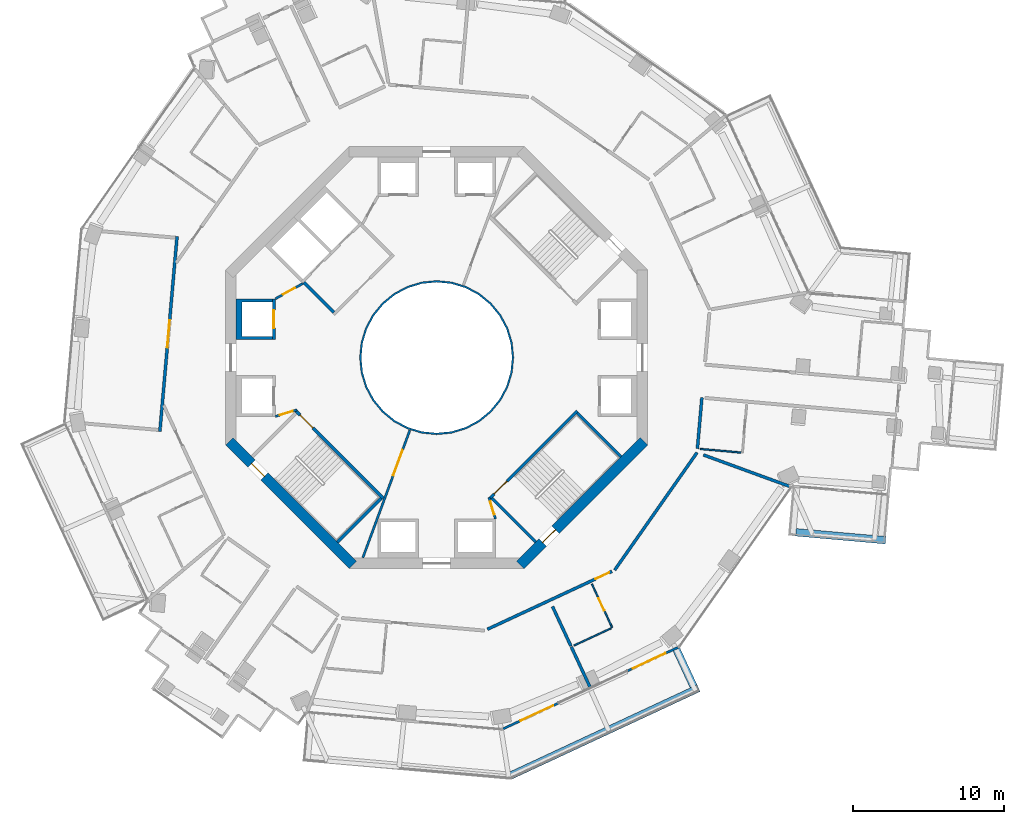
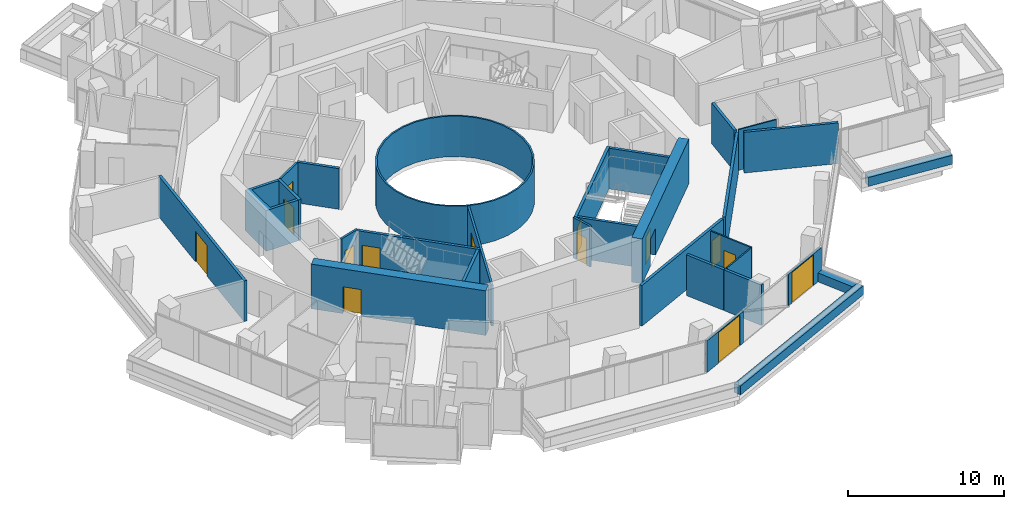
# One storey, part 16 of 23: 30 walls, 14 doors, 14 openings.
"""IFC4 building model written with IfcOpenShell, lengths in metres."""

from ifc_helpers import new_model, si_unit, direction, frame, frame_2d, origin, place, context, subcontext, project, spatial, polyline, rectangle, outline, extrude, material, layer, layer_set, type_object, element, fill, save


model = new_model("IFC4")

# Units and contexts
model_context = context("Model", 3, precision=1e-05, world=origin(), true_north=direction((0.0, 1.0)))
body_context = subcontext(model_context, "Body", "Model", "MODEL_VIEW")
ifc_project = project(units=[si_unit("LENGTHUNIT", "METRE"), si_unit("AREAUNIT", "SQUARE_METRE"), si_unit("VOLUMEUNIT", "CUBIC_METRE"), si_unit("PLANEANGLEUNIT", "RADIAN"), si_unit("MASSUNIT", "GRAM", prefix="KILO")], contexts=[model_context])

# Site, building, storey
site_placement = place(None, origin())
site = spatial("IfcSite", under=ifc_project, at=site_placement, CompositionType="ELEMENT")
building_placement = place(site_placement, origin())
building = spatial("IfcBuilding", under=site, at=building_placement, Name="Verdalira Terraces Hotel", CompositionType="ELEMENT")
storey_placement = place(building_placement, frame((0.0, 0.0, 136.5)))
storey = spatial("IfcBuildingStorey", under=building, at=storey_placement, Name="L32", CompositionType="ELEMENT", Elevation=136.5)

# Walls
ifc_material_1 = material(Name="Fire-resisting glass EI 180", Category="glass")
ifc_layer_1 = layer(ifc_material_1, 0.1201171875)
ifc_layer_set_1 = layer_set([ifc_layer_1], Name="Atrium fire screen 120 mm")
wall_type_1 = type_object("IfcWallType", Name="Atrium fire screen 120 mm", PredefinedType="SOLIDWALL", material=ifc_layer_set_1)
wall_1_placement = place(storey_placement, origin())
element("IfcWall", 1, at=wall_1_placement, inside=storey, type_object=wall_type_1, Name="Atrium fire screen", PredefinedType="SOLIDWALL", context=body_context, shape_type="SweptSolid", body=[
    extrude(outline(polyline([(5.021484, -0.998779), (4.730225, -1.959229), (4.25708, -2.844482), (3.620361, -3.620361), (2.844482, -4.25708), (1.959229, -4.730225), (0.998779, -5.021484), (0.0, -5.120117), (-0.998779, -5.021484), (-1.959229, -4.730225), (-2.844482, -4.25708), (-3.620361, -3.620361), (-4.25708, -2.844482), (-4.730225, -1.959229), (-5.021484, -0.998779), (-5.120117, 0.0), (-5.021484, 0.998779), (-4.730225, 1.959229), (-4.25708, 2.844482), (-3.620361, 3.620361), (-2.844482, 4.25708), (-1.959229, 4.730225), (-0.998779, 5.021484), (0.0, 5.120117), (0.998779, 5.021484), (1.959229, 4.730225), (2.844482, 4.25708), (3.620361, 3.620361), (4.25708, 2.844482), (4.730225, 1.959229), (5.021484, 0.998779), (5.120117, 0.0), (5.021484, -0.998779)]), holes=[polyline([(4.903809, 0.975586), (4.619385, 1.91333), (4.157227, 2.777832), (3.5354, 3.5354), (2.777832, 4.157227), (1.91333, 4.619385), (0.975586, 4.903809), (0.0, 5.0), (-0.975586, 4.903809), (-1.91333, 4.619385), (-2.777832, 4.157227), (-3.5354, 3.5354), (-4.157227, 2.777832), (-4.619385, 1.91333), (-4.903809, 0.975586), (-5.0, 0.0), (-4.903809, -0.975586), (-4.619385, -1.91333), (-4.157227, -2.777832), (-3.5354, -3.5354), (-2.777832, -4.157227), (-1.91333, -4.619385), (-0.975586, -4.903809), (0.0, -5.0), (0.975586, -4.903809), (1.91333, -4.619385), (2.777832, -4.157227), (3.5354, -3.5354), (4.157227, -2.777832), (4.619385, -1.91333), (4.903809, -0.975586), (5.0, 0.0), (4.903809, 0.975586)])]), origin(), (0.0, 0.0, 1.0), 3.189941),
])
ifc_material_2 = material(Name="Concrete C40", Category="concrete")
ifc_layer_2 = layer(ifc_material_2, 0.5)
ifc_layer_set_2 = layer_set([ifc_layer_2], Name="Balcony planter trough with tree")
wall_type_2 = type_object("IfcWallType", Name="Balcony planter trough with tree", PredefinedType="SOLIDWALL", material=ifc_layer_set_2)
wall_2_placement = place(storey_placement, frame((4.932617, -27.715332, 0.0), z_axis=(0.0, 0.0, 1.0), x_axis=(0.906607173, 0.421975632, 0.0)))
element("IfcWall", 2, at=wall_2_placement, inside=storey, type_object=wall_type_2, Name="Balcony planter", PredefinedType="SOLIDWALL", context=body_context, shape_type="SweptSolid", body=[
    extrude(rectangle(XDim=13.723633, YDim=0.5, at=frame_2d((6.861816, 0.0))), origin(), (0.0, 0.0, 1.0), 0.699951),
])
wall_3_placement = place(storey_placement, frame((17.042236, -21.802979, 0.0), z_axis=(0.0, 0.0, 1.0), x_axis=(-0.421998815, 0.906596382, 0.0)))
element("IfcWall", 3, at=wall_3_placement, inside=storey, type_object=wall_type_2, Name="Balcony planter", PredefinedType="SOLIDWALL", context=body_context, shape_type="SweptSolid", body=[
    extrude(rectangle(XDim=2.698975, YDim=0.5, at=frame_2d((1.349609, 0.0))), origin(), (0.0, 0.0, 1.0), 0.699951),
])
wall_4_placement = place(storey_placement, frame((23.83252, -11.588623, 0.0), z_axis=(0.0, 0.0, 1.0), x_axis=(0.996136805, -0.087814953, 0.0)))
element("IfcWall", 4, at=wall_4_placement, inside=storey, type_object=wall_type_2, Name="Balcony planter", PredefinedType="SOLIDWALL", context=body_context, shape_type="SweptSolid", body=[
    extrude(rectangle(XDim=5.963379, YDim=0.5, at=frame_2d((2.981689, 0.0))), origin(), (0.0, 0.0, 1.0), 0.699951),
])
ifc_material_3 = material(Name="Moisture-resistant gypsum board partition")
ifc_layer_3 = layer(ifc_material_3, 0.10009765625)
ifc_layer_set_3 = layer_set([ifc_layer_3], Name="Bathroom partition 100 mm")
wall_type_3 = type_object("IfcWallType", Name="Bathroom partition 100 mm", PredefinedType="PARTITIONING", material=ifc_layer_set_3)
wall_5_placement = place(storey_placement, frame((11.557617, -17.958496, 0.0), z_axis=(0.0, 0.0, 1.0), x_axis=(-0.906591605, -0.422009078, 0.0)))
element("IfcWall", 5, at=wall_5_placement, inside=storey, type_object=wall_type_3, Name="Bathroom partition", PredefinedType="PARTITIONING", context=body_context, shape_type="SweptSolid", body=[
    extrude(rectangle(XDim=2.699951, YDim=0.100098, at=frame_2d((1.350098, 0.0))), origin(), (0.0, 0.0, 1.0), 3.189941),
])

# Wall, opening, door
wall_6_placement = place(storey_placement, frame((11.648193, -17.91626, 0.0), z_axis=(0.0, 0.0, 1.0), x_axis=(-0.42192038, 0.906632888, 0.0)))
wall_6 = element("IfcWall", 6, at=wall_6_placement, inside=storey, type_object=wall_type_3, Name="Bathroom partition", PredefinedType="PARTITIONING", context=body_context, shape_type="SweptSolid", body=[
    extrude(rectangle(XDim=3.199951, YDim=0.100098, at=frame_2d((1.600098, 0.0))), origin(), (0.0, 0.0, 1.0), 3.189941),
])
opening_1_placement = place(wall_6_placement, frame((1.25, 0.0, 0.0)))
opening_1 = element("IfcOpeningElement", 7, at=opening_1_placement, cuts=wall_6, Name="Opening L32-120", PredefinedType="OPENING", context=body_context, shape_type="SweptSolid", body=[
    extrude(rectangle(XDim=0.899902, YDim=2.100098, at=frame_2d((0.449951, 1.050049))), frame((0.0, 0.060059, 0.0), z_axis=(0.0, -1.0, 0.0), x_axis=(1.0, 0.0, 0.0)), (0.0, 0.0, 1.0), 0.120117),
])
ifc_material_4 = material(Name="Timber door", Category="wood")
door_type_1 = type_object("IfcDoorType", Name="Bathroom door 900 x 2100", OperationType="NOTDEFINED", PredefinedType="DOOR", material=ifc_material_4)
door_1_placement = place(opening_1_placement, origin())
door_1 = element("IfcDoor", 8, at=door_1_placement, inside=storey, type_object=door_type_1, Name="Bathroom door 3207", OperationType="SINGLE_SWING_LEFT", OverallHeight=2.10009765625, OverallWidth=0.89990234375, PredefinedType="DOOR", context=body_context, shape_type="SweptSolid", body=[
    extrude(rectangle(XDim=0.899902, YDim=2.100098, at=frame_2d((0.449951, 1.050049))), frame((0.0, 0.024902, 0.0), z_axis=(0.0, -1.0, 0.0), x_axis=(1.0, 0.0, 0.0)), (0.0, 0.0, 1.0), 0.050049),
])
fill(opening_1, door_1)

# Walls
wall_7_placement = place(storey_placement, frame((17.493652, -6.060303, 0.0), z_axis=(0.0, 0.0, 1.0), x_axis=(0.99612985, -0.08789381, 0.0)))
element("IfcWall", 9, at=wall_7_placement, inside=storey, type_object=wall_type_3, Name="Bathroom partition", PredefinedType="PARTITIONING", context=body_context, shape_type="SweptSolid", body=[
    extrude(rectangle(XDim=2.699951, YDim=0.100098, at=frame_2d((1.350098, 0.0))), origin(), (0.0, 0.0, 1.0), 3.189941),
])
ifc_material_5 = material(Name="Concrete C50", Category="concrete")
ifc_layer_4 = layer(ifc_material_5, 0.199951171875)
ifc_layer_set_4 = layer_set([ifc_layer_4], Name="Core RC wall 200 C50")
wall_type_4 = type_object("IfcWallType", Name="Core RC wall 200 C50", PredefinedType="SOLIDWALL", material=ifc_layer_set_4)
wall_8_placement = place(storey_placement, origin())
element("IfcWall", 10, at=wall_8_placement, inside=storey, type_object=wall_type_4, Name="L32 shaft wall W1", PredefinedType="SOLIDWALL", context=body_context, shape_type="SweptSolid", body=[
    extrude(outline(polyline([(-13.300049, 3.899902), (-10.899902, 3.899902), (-10.899902, 3.699951), (-12.899902, 3.699951), (-12.899902, 1.399902), (-10.899902, 1.399902), (-10.899902, 1.199951), (-13.300049, 1.199951), (-13.300049, 3.899902)])), origin(), (0.0, 0.0, 1.0), 3.189941),
])

# Wall, opening, door
wall_9_placement = place(storey_placement, frame((-10.800049, 1.199951, 0.0), z_axis=(0.0, 0.0, 1.0), x_axis=(0.0, 1.0, 0.0)))
wall_9 = element("IfcWall", 11, at=wall_9_placement, inside=storey, type_object=wall_type_4, Name="L32 shaft front wall W1", PredefinedType="SOLIDWALL", context=body_context, shape_type="SweptSolid", body=[
    extrude(rectangle(XDim=2.699951, YDim=0.199951, at=frame_2d((1.350098, 0.0))), origin(), (0.0, 0.0, 1.0), 3.189941),
])
opening_2_placement = place(wall_9_placement, frame((0.75, 0.0, 0.0)))
opening_2 = element("IfcOpeningElement", 12, at=opening_2_placement, cuts=wall_9, Name="Opening LD-L32-805", PredefinedType="OPENING", context=body_context, shape_type="SweptSolid", body=[
    extrude(rectangle(XDim=1.199951, YDim=2.100098, at=frame_2d((0.600098, 1.050049))), frame((0.0, 0.109863, 0.0), z_axis=(0.0, -1.0, 0.0), x_axis=(1.0, 0.0, 0.0)), (0.0, 0.0, 1.0), 0.219971),
])
ifc_material_6 = material(Name="Stainless steel", Category="steel")
door_type_2 = type_object("IfcDoorType", Name="Landing door 1200 x 2100", OperationType="NOTDEFINED", PredefinedType="DOOR", material=ifc_material_6)
door_2_placement = place(opening_2_placement, origin())
door_2 = element("IfcDoor", 13, at=door_2_placement, inside=storey, type_object=door_type_2, Name="Lift landing door LR5 L32", OperationType="DOUBLE_DOOR_SLIDING", OverallHeight=2.10009765625, OverallWidth=1.199951171875, PredefinedType="DOOR", context=body_context, shape_type="SweptSolid", body=[
    extrude(rectangle(XDim=1.199951, YDim=2.100098, at=frame_2d((0.600098, 1.050049))), frame((0.0, 0.024902, 0.0), z_axis=(0.0, -1.0, 0.0), x_axis=(1.0, 0.0, 0.0)), (0.0, 0.0, 1.0), 0.050049),
])
fill(opening_2, door_2)

wall_10_placement = place(storey_placement, frame((-3.5354, -9.33374, 0.0), z_axis=(0.0, 0.0, 1.0), x_axis=(-0.707106781, 0.707106781, 0.0)))
wall_10 = element("IfcWall", 14, at=wall_10_placement, inside=storey, type_object=wall_type_4, Name="L32 stair ST2 front wall", PredefinedType="SOLIDWALL", context=body_context, shape_type="SweptSolid", body=[
    extrude(rectangle(XDim=8.200195, YDim=0.199951, at=frame_2d((4.100098, 0.0))), origin(), (0.0, 0.0, 1.0), 3.189941),
])
opening_3_placement = place(wall_10_placement, frame((6.600098, 0.0, 0.0)))
opening_3 = element("IfcOpeningElement", 15, at=opening_3_placement, cuts=wall_10, Name="Opening L32-810", PredefinedType="OPENING", context=body_context, shape_type="SweptSolid", body=[
    extrude(rectangle(XDim=1.199951, YDim=2.100098, at=frame_2d((0.600098, 1.050049))), frame((0.0, 0.109863, 0.0), z_axis=(0.0, -1.0, 0.0), x_axis=(1.0, 0.0, 0.0)), (0.0, 0.0, 1.0), 0.219971),
])
ifc_material_7 = material(Name="Steel fire door", Category="steel")
door_type_3 = type_object("IfcDoorType", Name="Stair door 1200 x 2100", OperationType="NOTDEFINED", PredefinedType="DOOR", material=ifc_material_7)
door_3_placement = place(opening_3_placement, origin())
door_3 = element("IfcDoor", 16, at=door_3_placement, inside=storey, type_object=door_type_3, Name="Stair door ST2 L32", OperationType="SINGLE_SWING_RIGHT", OverallHeight=2.10009765625, OverallWidth=1.199951171875, PredefinedType="DOOR", context=body_context, shape_type="SweptSolid", body=[
    extrude(rectangle(XDim=1.199951, YDim=2.100098, at=frame_2d((0.600098, 1.050049))), frame((0.0, 0.024902, 0.0), z_axis=(0.0, -1.0, 0.0), x_axis=(1.0, 0.0, 0.0)), (0.0, 0.0, 1.0), 0.050049),
])
fill(opening_3, door_3)

# Wall
wall_11_placement = place(storey_placement, frame((-3.677002, -9.33374, 0.0), z_axis=(0.0, 0.0, 1.0), x_axis=(-0.707106781, -0.707106781, 0.0)))
element("IfcWall", 17, at=wall_11_placement, inside=storey, type_object=wall_type_4, Name="L32 stair ST2 end wall 2", PredefinedType="SOLIDWALL", context=body_context, shape_type="SweptSolid", body=[
    extrude(rectangle(XDim=4.100098, YDim=0.199951, at=frame_2d((2.050049, 0.0))), origin(), (0.0, 0.0, 1.0), 3.189941),
])

# Wall, opening, door
wall_12_placement = place(storey_placement, frame((9.33374, -3.5354, 0.0), z_axis=(0.0, 0.0, 1.0), x_axis=(-0.707106781, -0.707106781, 0.0)))
wall_12 = element("IfcWall", 18, at=wall_12_placement, inside=storey, type_object=wall_type_4, Name="L32 stair ST3 front wall", PredefinedType="SOLIDWALL", context=body_context, shape_type="SweptSolid", body=[
    extrude(rectangle(XDim=8.200195, YDim=0.199951, at=frame_2d((4.100098, 0.0))), origin(), (0.0, 0.0, 1.0), 3.189941),
])
opening_4_placement = place(wall_12_placement, frame((6.600098, 0.0, 0.0)))
opening_4 = element("IfcOpeningElement", 19, at=opening_4_placement, cuts=wall_12, Name="Opening L32-811", PredefinedType="OPENING", context=body_context, shape_type="SweptSolid", body=[
    extrude(rectangle(XDim=1.199951, YDim=2.100098, at=frame_2d((0.600098, 1.050049))), frame((0.0, 0.109863, 0.0), z_axis=(0.0, -1.0, 0.0), x_axis=(1.0, 0.0, 0.0)), (0.0, 0.0, 1.0), 0.219971),
])
door_4_placement = place(opening_4_placement, origin())
door_4 = element("IfcDoor", 20, at=door_4_placement, inside=storey, type_object=door_type_3, Name="Stair door ST3 L32", OperationType="SINGLE_SWING_RIGHT", OverallHeight=2.10009765625, OverallWidth=1.199951171875, PredefinedType="DOOR", context=body_context, shape_type="SweptSolid", body=[
    extrude(rectangle(XDim=1.199951, YDim=2.100098, at=frame_2d((0.600098, 1.050049))), frame((0.0, 0.024902, 0.0), z_axis=(0.0, -1.0, 0.0), x_axis=(1.0, 0.0, 0.0)), (0.0, 0.0, 1.0), 0.050049),
])
fill(opening_4, door_4)

# Walls
for number, where, z_axis, x_axis, name in (
    (21, (3.677002, -9.33374, 0.0), (0.0, 0.0, 1.0), (0.707106781, -0.707106781, 0.0), "L32 stair ST3 end wall 1"),
    (22, (9.33374, -3.677002, 0.0), (0.0, 0.0, 1.0), (0.707106781, -0.707106781, 0.0), "L32 stair ST3 end wall 2"),
):
    element("IfcWall", number, at=place(storey_placement, frame(where, z_axis=z_axis, x_axis=x_axis)), inside=storey, type_object=wall_type_4, Name=name, PredefinedType="SOLIDWALL", context=body_context, shape_type="SweptSolid", body=[
        extrude(rectangle(XDim=4.100098, YDim=0.199951, at=frame_2d((2.050049, 0.0))), origin(), (0.0, 0.0, 1.0), 3.189941),
    ])
wall_13_placement = place(storey_placement, frame((-6.823486, 3.005127, 0.0), z_axis=(0.0, 0.0, 1.0), x_axis=(-0.707106781, 0.707106781, 0.0)))
element("IfcWall", 23, at=wall_13_placement, inside=storey, type_object=wall_type_4, Name="L32 fire lobby wall", PredefinedType="SOLIDWALL", context=body_context, shape_type="SweptSolid", body=[
    extrude(rectangle(XDim=2.800049, YDim=0.199951, at=frame_2d((1.399902, 0.0))), origin(), (0.0, 0.0, 1.0), 3.189941),
])

# Wall, opening, door
ifc_material_8 = material(Name="Gypsum board partition")
ifc_layer_5 = layer(ifc_material_8, 0.14990234375)
ifc_layer_set_5 = layer_set([ifc_layer_5], Name="Core partition 150 mm")
wall_type_5 = type_object("IfcWallType", Name="Core partition 150 mm", PredefinedType="PARTITIONING", material=ifc_layer_set_5)
wall_14_placement = place(storey_placement, frame((-8.874268, 4.914307, 0.0), z_axis=(0.0, 0.0, 1.0), x_axis=(-0.874129705, -0.485692555, 0.0)))
wall_14 = element("IfcWall", 24, at=wall_14_placement, inside=storey, type_object=wall_type_5, Name="Room partition L32", PredefinedType="PARTITIONING", context=body_context, shape_type="SweptSolid", body=[
    extrude(rectangle(XDim=2.088623, YDim=0.149902, at=frame_2d((1.044434, 0.0))), origin(), (0.0, 0.0, 1.0), 3.189941),
])
opening_5_placement = place(wall_14_placement, frame((0.594238, 0.0, 0.0)))
opening_5 = element("IfcOpeningElement", 25, at=opening_5_placement, cuts=wall_14, Name="Opening L32-821", PredefinedType="OPENING", context=body_context, shape_type="SweptSolid", body=[
    extrude(rectangle(XDim=0.899902, YDim=2.100098, at=frame_2d((0.449951, 1.050049))), frame((0.0, 0.084961, 0.0), z_axis=(0.0, -1.0, 0.0), x_axis=(1.0, 0.0, 0.0)), (0.0, 0.0, 1.0), 0.169922),
])
ifc_material_9 = material(Name="Steel fire door", Category="steel")
door_type_4 = type_object("IfcDoorType", Name="Core room door 900 x 2100", OperationType="NOTDEFINED", PredefinedType="DOOR", material=ifc_material_9)
door_5_placement = place(opening_5_placement, origin())
door_5 = element("IfcDoor", 26, at=door_5_placement, inside=storey, type_object=door_type_4, Name="Door L32 room3", OperationType="SINGLE_SWING_LEFT", OverallHeight=2.10009765625, OverallWidth=0.89990234375, PredefinedType="DOOR", context=body_context, shape_type="SweptSolid", body=[
    extrude(rectangle(XDim=0.899902, YDim=2.100098, at=frame_2d((0.449951, 1.050049))), frame((0.0, 0.024902, 0.0), z_axis=(0.0, -1.0, 0.0), x_axis=(1.0, 0.0, 0.0)), (0.0, 0.0, 1.0), 0.050049),
])
fill(opening_5, door_5)

wall_15_placement = place(storey_placement, frame((-10.699951, -3.899902, 0.0), z_axis=(0.0, 0.0, 1.0), x_axis=(0.957084567, 0.289808785, 0.0)))
wall_15 = element("IfcWall", 27, at=wall_15_placement, inside=storey, type_object=wall_type_5, Name="Room partition L32", PredefinedType="PARTITIONING", context=body_context, shape_type="SweptSolid", body=[
    extrude(rectangle(XDim=1.501221, YDim=0.149902, at=frame_2d((0.750488, 0.0))), origin(), (0.0, 0.0, 1.0), 3.189941),
])
opening_6_placement = place(wall_15_placement, frame((0.300781, 0.0, 0.0)))
opening_6 = element("IfcOpeningElement", 28, at=opening_6_placement, cuts=wall_15, Name="Opening L32-822", PredefinedType="OPENING", context=body_context, shape_type="SweptSolid", body=[
    extrude(rectangle(XDim=0.899902, YDim=2.100098, at=frame_2d((0.449951, 1.050049))), frame((0.0, 0.084961, 0.0), z_axis=(0.0, -1.0, 0.0), x_axis=(1.0, 0.0, 0.0)), (0.0, 0.0, 1.0), 0.169922),
])
door_6_placement = place(opening_6_placement, origin())
door_6 = element("IfcDoor", 29, at=door_6_placement, inside=storey, type_object=door_type_4, Name="Door L32 room4", OperationType="SINGLE_SWING_LEFT", OverallHeight=2.10009765625, OverallWidth=0.89990234375, PredefinedType="DOOR", context=body_context, shape_type="SweptSolid", body=[
    extrude(rectangle(XDim=0.899902, YDim=2.100098, at=frame_2d((0.449951, 1.050049))), frame((0.0, 0.024902, 0.0), z_axis=(0.0, -1.0, 0.0), x_axis=(1.0, 0.0, 0.0)), (0.0, 0.0, 1.0), 0.050049),
])
fill(opening_6, door_6)

wall_16_placement = place(storey_placement, frame((3.899902, -10.699951, 0.0), z_axis=(0.0, 0.0, 1.0), x_axis=(-0.289808785, 0.957084567, 0.0)))
wall_16 = element("IfcWall", 30, at=wall_16_placement, inside=storey, type_object=wall_type_5, Name="Room partition L32", PredefinedType="PARTITIONING", context=body_context, shape_type="SweptSolid", body=[
    extrude(rectangle(XDim=1.501221, YDim=0.149902, at=frame_2d((0.750488, 0.0))), origin(), (0.0, 0.0, 1.0), 3.189941),
])
opening_7_placement = place(wall_16_placement, frame((0.300781, 0.0, 0.0)))
opening_7 = element("IfcOpeningElement", 31, at=opening_7_placement, cuts=wall_16, Name="Opening L32-823", PredefinedType="OPENING", context=body_context, shape_type="SweptSolid", body=[
    extrude(rectangle(XDim=0.899902, YDim=2.100098, at=frame_2d((0.449951, 1.050049))), frame((0.0, 0.084961, 0.0), z_axis=(0.0, -1.0, 0.0), x_axis=(1.0, 0.0, 0.0)), (0.0, 0.0, 1.0), 0.169922),
])
door_7_placement = place(opening_7_placement, origin())
door_7 = element("IfcDoor", 32, at=door_7_placement, inside=storey, type_object=door_type_4, Name="Door L32 room6", OperationType="SINGLE_SWING_LEFT", OverallHeight=2.10009765625, OverallWidth=0.89990234375, PredefinedType="DOOR", context=body_context, shape_type="SweptSolid", body=[
    extrude(rectangle(XDim=0.899902, YDim=2.100098, at=frame_2d((0.449951, 1.050049))), frame((0.0, 0.024902, 0.0), z_axis=(0.0, -1.0, 0.0), x_axis=(1.0, 0.0, 0.0)), (0.0, 0.0, 1.0), 0.050049),
])
fill(opening_7, door_7)

wall_17_placement = place(storey_placement, frame((-1.775635, -4.812988, 0.0), z_axis=(0.0, 0.0, 1.0), x_axis=(-0.346109381, -0.938194168, 0.0)))
wall_17 = element("IfcWall", 33, at=wall_17_placement, inside=storey, type_object=wall_type_5, Name="Gallery fire partition L32", PredefinedType="PARTITIONING", context=body_context, shape_type="SweptSolid", body=[
    extrude(rectangle(XDim=9.016357, YDim=0.149902, at=frame_2d((4.508301, 0.0))), origin(), (0.0, 0.0, 1.0), 3.189941),
])
opening_8_placement = place(wall_17_placement, frame((1.399902, 0.0, 0.0)))
opening_8 = element("IfcOpeningElement", 34, at=opening_8_placement, cuts=wall_17, Name="Opening L32-825", PredefinedType="OPENING", context=body_context, shape_type="SweptSolid", body=[
    extrude(rectangle(XDim=1.800049, YDim=2.100098, at=frame_2d((0.899902, 1.050049))), frame((0.0, 0.084961, 0.0), z_axis=(0.0, -1.0, 0.0), x_axis=(1.0, 0.0, 0.0)), (0.0, 0.0, 1.0), 0.169922),
])
ifc_material_10 = material(Name="Steel fire door", Category="steel")
door_type_5 = type_object("IfcDoorType", Name="Gallery fire door pair 1800 x 2100", OperationType="NOTDEFINED", PredefinedType="DOOR", material=ifc_material_10)
door_8_placement = place(opening_8_placement, origin())
door_8 = element("IfcDoor", 35, at=door_8_placement, inside=storey, type_object=door_type_5, Name="Door L32 split5", OperationType="DOUBLE_DOOR_SINGLE_SWING", OverallHeight=2.10009765625, OverallWidth=1.800048828125, PredefinedType="DOOR", context=body_context, shape_type="SweptSolid", body=[
    extrude(rectangle(XDim=1.800049, YDim=2.100098, at=frame_2d((0.899902, 1.050049))), frame((0.0, 0.024902, 0.0), z_axis=(0.0, -1.0, 0.0), x_axis=(1.0, 0.0, 0.0)), (0.0, 0.0, 1.0), 0.050049),
])
fill(opening_8, door_8)

ifc_material_11 = material(Name="Concrete C60", Category="concrete")
ifc_layer_6 = layer(ifc_material_11, 0.699951171875)
ifc_layer_set_6 = layer_set([ifc_layer_6], Name="Core wall 700 C60")
wall_type_6 = type_object("IfcWallType", Name="Core wall 700 C60", PredefinedType="SHEAR", material=ifc_layer_set_6)
wall_18_placement = place(storey_placement, frame((-13.752441, -5.551514, 0.0), z_axis=(0.0, 0.0, 1.0), x_axis=(0.707106781, -0.707106781, 0.0)))
wall_18 = element("IfcWall", 36, at=wall_18_placement, inside=storey, type_object=wall_type_6, Name="Core wall CW-L32-6", PredefinedType="SHEAR", context=body_context, shape_type="SweptSolid", body=[
    extrude(rectangle(XDim=11.5979, YDim=0.699951, at=frame_2d((5.798828, 0.0))), origin(), (0.0, 0.0, 1.0), 3.5),
])
opening_9_placement = place(wall_18_placement, frame((2.099121, 0.0, 0.0)))
opening_9 = element("IfcOpeningElement", 37, at=opening_9_placement, cuts=wall_18, Name="Opening L32-817", PredefinedType="OPENING", context=body_context, shape_type="SweptSolid", body=[
    extrude(rectangle(XDim=1.199951, YDim=2.100098, at=frame_2d((0.600098, 1.050049))), frame((0.0, 0.359863, 0.0), z_axis=(0.0, -1.0, 0.0), x_axis=(1.0, 0.0, 0.0)), (0.0, 0.0, 1.0), 0.719971),
])
door_9_placement = place(opening_9_placement, origin())
door_9 = element("IfcDoor", 38, at=door_9_placement, inside=storey, type_object=door_type_3, Name="Stair exit door ST2 L32", OperationType="SINGLE_SWING_LEFT", OverallHeight=2.10009765625, OverallWidth=1.199951171875, PredefinedType="DOOR", context=body_context, shape_type="SweptSolid", body=[
    extrude(rectangle(XDim=1.199951, YDim=2.100098, at=frame_2d((0.600098, 1.050049))), frame((0.0, 0.024902, 0.0), z_axis=(0.0, -1.0, 0.0), x_axis=(1.0, 0.0, 0.0)), (0.0, 0.0, 1.0), 0.050049),
])
fill(opening_9, door_9)

wall_19_placement = place(storey_placement, frame((5.551514, -13.752441, 0.0), z_axis=(0.0, 0.0, 1.0), x_axis=(0.707106781, 0.707106781, 0.0)))
wall_19 = element("IfcWall", 39, at=wall_19_placement, inside=storey, type_object=wall_type_6, Name="Core wall CW-L32-8", PredefinedType="SHEAR", context=body_context, shape_type="SweptSolid", body=[
    extrude(rectangle(XDim=11.5979, YDim=0.699951, at=frame_2d((5.798828, 0.0))), origin(), (0.0, 0.0, 1.0), 3.5),
])
opening_10_placement = place(wall_19_placement, frame((2.099121, 0.0, 0.0)))
opening_10 = element("IfcOpeningElement", 40, at=opening_10_placement, cuts=wall_19, Name="Opening L32-818", PredefinedType="OPENING", context=body_context, shape_type="SweptSolid", body=[
    extrude(rectangle(XDim=1.199951, YDim=2.100098, at=frame_2d((0.600098, 1.050049))), frame((0.0, 0.359863, 0.0), z_axis=(0.0, -1.0, 0.0), x_axis=(1.0, 0.0, 0.0)), (0.0, 0.0, 1.0), 0.719971),
])
door_10_placement = place(opening_10_placement, origin())
door_10 = element("IfcDoor", 41, at=door_10_placement, inside=storey, type_object=door_type_3, Name="Stair exit door ST3 L32", OperationType="SINGLE_SWING_LEFT", OverallHeight=2.10009765625, OverallWidth=1.199951171875, PredefinedType="DOOR", context=body_context, shape_type="SweptSolid", body=[
    extrude(rectangle(XDim=1.199951, YDim=2.100098, at=frame_2d((0.600098, 1.050049))), frame((0.0, 0.024902, 0.0), z_axis=(0.0, -1.0, 0.0), x_axis=(1.0, 0.0, 0.0)), (0.0, 0.0, 1.0), 0.050049),
])
fill(opening_10, door_10)

# Walls
ifc_material_12 = material(Name="Fire-rated gypsum board wall")
ifc_layer_7 = layer(ifc_material_12, 0.199951171875)
ifc_layer_set_7 = layer_set([ifc_layer_7], Name="Demising wall 200 mm")
wall_type_7 = type_object("IfcWallType", Name="Demising wall 200 mm", PredefinedType="SOLIDWALL", material=ifc_layer_set_7)
wall_20_placement = place(storey_placement, frame((7.682617, -16.505127, 0.0), z_axis=(0.0, 0.0, 1.0), x_axis=(0.421923577, -0.9066314, 0.0)))
element("IfcWall", 42, at=wall_20_placement, inside=storey, type_object=wall_type_7, Name="Demising wall", PredefinedType="SOLIDWALL", context=body_context, shape_type="SweptSolid", body=[
    extrude(rectangle(XDim=2.904785, YDim=0.199951, at=frame_2d((1.452393, 0.0))), origin(), (0.0, 0.0, 1.0), 3.189941),
])
wall_21_placement = place(storey_placement, frame((8.927734, -19.18042, 0.0), z_axis=(0.0, 0.0, 1.0), x_axis=(0.421961604, -0.906613702, 0.0)))
element("IfcWall", 43, at=wall_21_placement, inside=storey, type_object=wall_type_7, Name="Demising wall", PredefinedType="SOLIDWALL", context=body_context, shape_type="SweptSolid", body=[
    extrude(rectangle(XDim=2.951904, YDim=0.199951, at=frame_2d((1.476074, 0.0))), origin(), (0.0, 0.0, 1.0), 3.189941),
])
wall_22_placement = place(storey_placement, frame((17.691895, -6.453369, 0.0), z_axis=(0.0, 0.0, 1.0), x_axis=(0.939447682, -0.342692359, 0.0)))
element("IfcWall", 44, at=wall_22_placement, inside=storey, type_object=wall_type_7, Name="Demising wall", PredefinedType="SOLIDWALL", context=body_context, shape_type="SweptSolid", body=[
    extrude(rectangle(XDim=6.131836, YDim=0.199951, at=frame_2d((3.065918, 0.0))), origin(), (0.0, 0.0, 1.0), 3.189941),
])

# Wall, opening, door
ifc_material_13 = material(Name="Fire-rated gypsum board wall")
ifc_layer_8 = layer(ifc_material_13, 0.199951171875)
ifc_layer_set_8 = layer_set([ifc_layer_8], Name="Guest corridor wall 200 mm")
wall_type_8 = type_object("IfcWallType", Name="Guest corridor wall 200 mm", PredefinedType="SOLIDWALL", material=ifc_layer_set_8)
wall_23_placement = place(storey_placement, frame((11.625977, -14.176514, 0.0), z_axis=(0.0, 0.0, 1.0), x_axis=(-0.90660485, -0.421980622, 0.0)))
wall_23 = element("IfcWall", 45, at=wall_23_placement, inside=storey, type_object=wall_type_8, Name="Guest corridor wall", PredefinedType="SOLIDWALL", context=body_context, shape_type="SweptSolid", body=[
    extrude(rectangle(XDim=9.115723, YDim=0.199951, at=frame_2d((4.557861, 0.0))), origin(), (0.0, 0.0, 1.0), 3.189941),
])
opening_11_placement = place(wall_23_placement, frame((0.199951, 0.0, 0.0)))
opening_11 = element("IfcOpeningElement", 46, at=opening_11_placement, cuts=wall_23, Name="Opening L32-119", PredefinedType="OPENING", context=body_context, shape_type="SweptSolid", body=[
    extrude(rectangle(XDim=1.0, YDim=2.100098, at=frame_2d((0.5, 1.050049))), frame((0.0, 0.109863, 0.0), z_axis=(0.0, -1.0, 0.0), x_axis=(1.0, 0.0, 0.0)), (0.0, 0.0, 1.0), 0.219971),
])
ifc_material_14 = material(Name="Timber fire door", Category="wood")
door_type_6 = type_object("IfcDoorType", Name="Guest entry door 1000 x 2100", OperationType="NOTDEFINED", PredefinedType="DOOR", material=ifc_material_14)
door_11_placement = place(opening_11_placement, origin())
door_11 = element("IfcDoor", 47, at=door_11_placement, inside=storey, type_object=door_type_6, Name="Guest entry door 3207", OperationType="SINGLE_SWING_LEFT", OverallHeight=2.10009765625, OverallWidth=1.0, PredefinedType="DOOR", context=body_context, shape_type="SweptSolid", body=[
    extrude(rectangle(XDim=1.0, YDim=2.100098, at=frame_2d((0.5, 1.050049))), frame((0.0, 0.024902, 0.0), z_axis=(0.0, -1.0, 0.0), x_axis=(1.0, 0.0, 0.0)), (0.0, 0.0, 1.0), 0.050049),
])
fill(opening_11, door_11)

# Walls
wall_24_placement = place(storey_placement, frame((11.808105, -14.091309, 0.0), z_axis=(0.0, 0.0, 1.0), x_axis=(0.574131966, 0.818762777, 0.0)))
element("IfcWall", 48, at=wall_24_placement, inside=storey, type_object=wall_type_8, Name="Guest corridor wall", PredefinedType="SOLIDWALL", context=body_context, shape_type="SweptSolid", body=[
    extrude(rectangle(XDim=9.515869, YDim=0.199951, at=frame_2d((4.757812, 0.0))), origin(), (0.0, 0.0, 1.0), 3.189941),
])
wall_25_placement = place(storey_placement, frame((17.294189, -6.042725, 0.0), z_axis=(0.0, 0.0, 1.0), x_axis=(0.087887524, 0.996130405, 0.0)))
element("IfcWall", 49, at=wall_25_placement, inside=storey, type_object=wall_type_8, Name="Guest corridor wall", PredefinedType="SOLIDWALL", context=body_context, shape_type="SweptSolid", body=[
    extrude(rectangle(XDim=3.400146, YDim=0.199951, at=frame_2d((1.700195, 0.0))), origin(), (0.0, 0.0, 1.0), 3.189941),
])

# Wall, opening, door
ifc_material_15 = material(Name="Terracotta cladding", Category="masonry")
ifc_layer_9 = layer(ifc_material_15, 0.199951171875)
ifc_layer_set_9 = layer_set([ifc_layer_9], Name="Loggia back wall 200")
wall_type_9 = type_object("IfcWallType", Name="Loggia back wall 200", PredefinedType="SOLIDWALL", material=ifc_layer_set_9)
wall_26_placement = place(storey_placement, frame((-18.360352, -4.906006, 0.0), z_axis=(0.0, 0.0, 1.0), x_axis=(0.087853252, 0.996133428, 0.0)))
wall_26 = element("IfcWall", 50, at=wall_26_placement, inside=storey, type_object=wall_type_9, Name="Loggia back wall", PredefinedType="SOLIDWALL", context=body_context, shape_type="SweptSolid", body=[
    extrude(rectangle(XDim=13.0, YDim=0.199951, at=frame_2d((6.5, 0.0))), origin(), (0.0, 0.0, 1.0), 3.189941),
])
opening_12_placement = place(wall_26_placement, frame((5.600098, 0.0, 0.0)))
opening_12 = element("IfcOpeningElement", 51, at=opening_12_placement, cuts=wall_26, Name="Opening L32-L01", PredefinedType="OPENING", context=body_context, shape_type="SweptSolid", body=[
    extrude(rectangle(XDim=1.800049, YDim=2.399902, at=frame_2d((0.899902, 1.199951))), frame((0.0, 0.109863, 0.0), z_axis=(0.0, -1.0, 0.0), x_axis=(1.0, 0.0, 0.0)), (0.0, 0.0, 1.0), 0.219971),
])
ifc_material_16 = material(Name="Clear glass", Category="glass")
door_type_7 = type_object("IfcDoorType", Name="Garden double door 1800x2400", OperationType="NOTDEFINED", PredefinedType="DOOR", material=ifc_material_16)
door_12_placement = place(opening_12_placement, origin())
door_12 = element("IfcDoor", 52, at=door_12_placement, inside=storey, type_object=door_type_7, Name="Loggia double door", OperationType="DOUBLE_DOOR_SINGLE_SWING", OverallHeight=2.39990234375, OverallWidth=1.800048828125, PredefinedType="DOOR", context=body_context, shape_type="SweptSolid", body=[
    extrude(rectangle(XDim=1.800049, YDim=2.399902, at=frame_2d((0.899902, 1.199951))), frame((0.0, 0.024902, 0.0), z_axis=(0.0, -1.0, 0.0), x_axis=(1.0, 0.0, 0.0)), (0.0, 0.0, 1.0), 0.050049),
])
fill(opening_12, door_12)

ifc_material_17 = material(Name="Terracotta cladding", Category="masonry")
ifc_layer_10 = layer(ifc_material_17, 0.14990234375)
ifc_layer_set_10 = layer_set([ifc_layer_10], Name="Terracotta door pier 150")
wall_type_10 = type_object("IfcWallType", Name="Terracotta door pier 150", PredefinedType="SOLIDWALL", material=ifc_layer_set_10)
wall_27_placement = place(storey_placement, frame((4.402832, -24.625244, 0.0), z_axis=(0.0, 0.0, 1.0), x_axis=(0.906607397, 0.42197515, 0.0)))
wall_27 = element("IfcWall", 53, at=wall_27_placement, inside=storey, type_object=wall_type_10, Name="Terracotta door pier", PredefinedType="SOLIDWALL", context=body_context, shape_type="SweptSolid", body=[
    extrude(rectangle(XDim=4.067871, YDim=0.149902, at=frame_2d((2.033936, 0.0))), origin(), (0.0, 0.0, 1.0), 2.475098),
])
opening_13_placement = place(wall_27_placement, frame((1.267822, 0.0, 0.0)))
opening_13 = element("IfcOpeningElement", 54, at=opening_13_placement, cuts=wall_27, Name="Opening L32-B06", PredefinedType="OPENING", context=body_context, shape_type="SweptSolid", body=[
    extrude(rectangle(XDim=2.399902, YDim=2.399902, at=frame_2d((1.199951, 1.199951))), frame((0.0, 0.084961, 0.0), z_axis=(0.0, -1.0, 0.0), x_axis=(1.0, 0.0, 0.0)), (0.0, 0.0, 1.0), 0.169922),
])
ifc_material_18 = material(Name="Clear glass", Category="glass")
door_type_8 = type_object("IfcDoorType", Name="Balcony sliding door 2400x2400", OperationType="NOTDEFINED", PredefinedType="DOOR", material=ifc_material_18)
door_13_placement = place(opening_13_placement, origin())
door_13 = element("IfcDoor", 55, at=door_13_placement, inside=storey, type_object=door_type_8, Name="Balcony sliding door", OperationType="SLIDING_TO_LEFT", OverallHeight=2.39990234375, OverallWidth=2.39990234375, PredefinedType="DOOR", context=body_context, shape_type="SweptSolid", body=[
    extrude(rectangle(XDim=2.399902, YDim=2.399902, at=frame_2d((1.199951, 1.199951))), frame((0.0, 0.024902, 0.0), z_axis=(0.0, -1.0, 0.0), x_axis=(1.0, 0.0, 0.0)), (0.0, 0.0, 1.0), 0.050049),
])
fill(opening_13, door_13)

wall_28_placement = place(storey_placement, frame((12.643555, -20.789795, 0.0), z_axis=(0.0, 0.0, 1.0), x_axis=(0.906592913, 0.422006268, 0.0)))
wall_28 = element("IfcWall", 56, at=wall_28_placement, inside=storey, type_object=wall_type_10, Name="Terracotta door pier", PredefinedType="SOLIDWALL", context=body_context, shape_type="SweptSolid", body=[
    extrude(rectangle(XDim=3.709961, YDim=0.149902, at=frame_2d((1.85498, 0.0))), origin(), (0.0, 0.0, 1.0), 2.475098),
])
opening_14_placement = place(wall_28_placement, frame((0.399902, 0.0, 0.0)))
opening_14 = element("IfcOpeningElement", 57, at=opening_14_placement, cuts=wall_28, Name="Opening L32-B07", PredefinedType="OPENING", context=body_context, shape_type="SweptSolid", body=[
    extrude(rectangle(XDim=2.399902, YDim=2.399902, at=frame_2d((1.199951, 1.199951))), frame((0.0, 0.084961, 0.0), z_axis=(0.0, -1.0, 0.0), x_axis=(1.0, 0.0, 0.0)), (0.0, 0.0, 1.0), 0.169922),
])
door_14_placement = place(opening_14_placement, origin())
door_14 = element("IfcDoor", 58, at=door_14_placement, inside=storey, type_object=door_type_8, Name="Balcony sliding door", OperationType="SLIDING_TO_RIGHT", OverallHeight=2.39990234375, OverallWidth=2.39990234375, PredefinedType="DOOR", context=body_context, shape_type="SweptSolid", body=[
    extrude(rectangle(XDim=2.399902, YDim=2.399902, at=frame_2d((1.199951, 1.199951))), frame((0.0, 0.024902, 0.0), z_axis=(0.0, -1.0, 0.0), x_axis=(1.0, 0.0, 0.0)), (0.0, 0.0, 1.0), 0.050049),
])
fill(opening_14, door_14)

save(model, "model.ifc")
